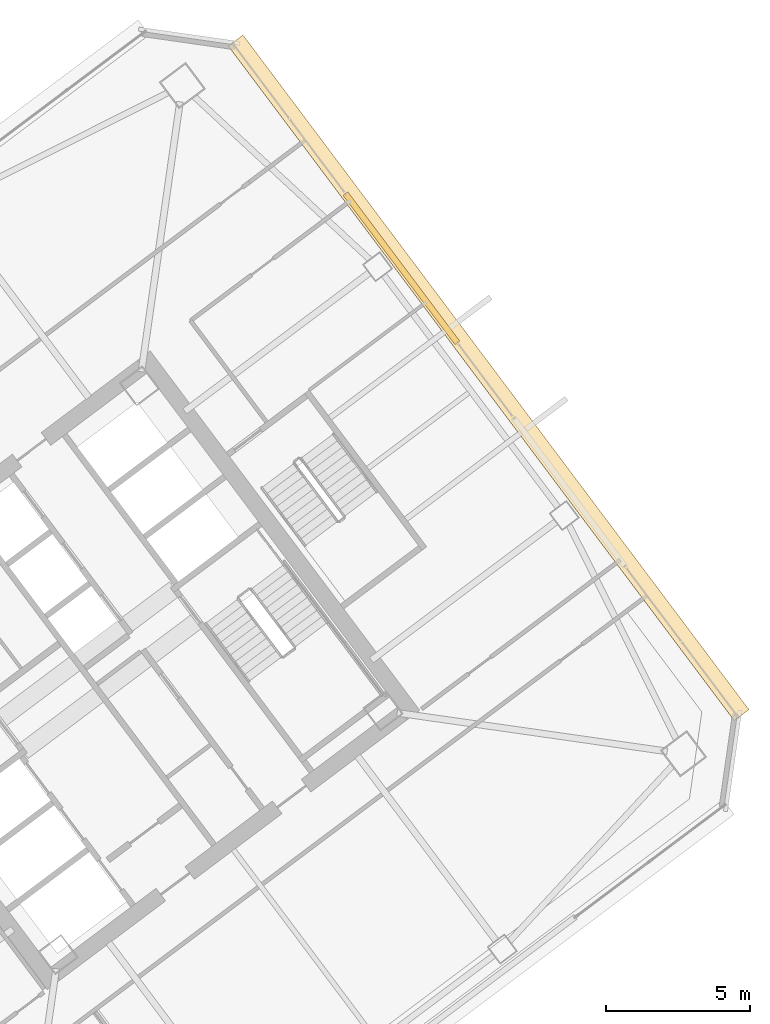
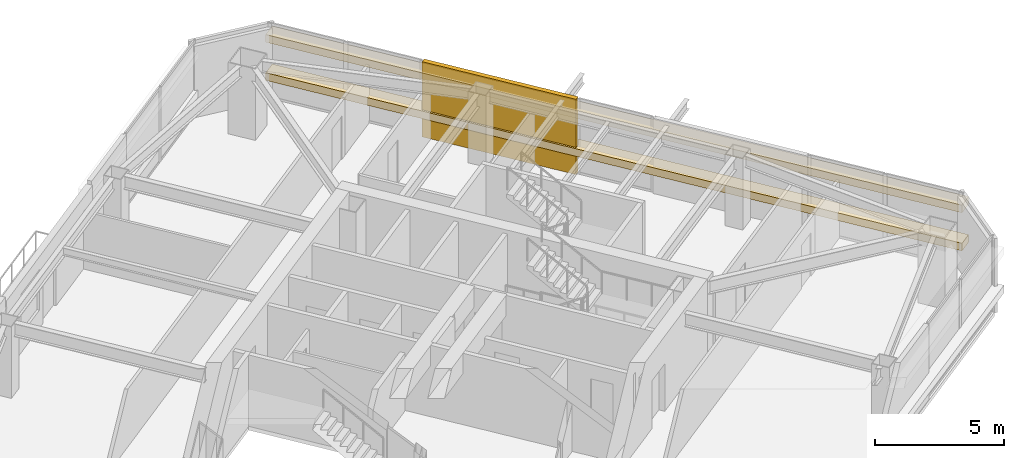
# One storey, part 44 of 44: 3 coverings.
"""IFC4 building model written with IfcOpenShell, lengths in metres."""

from ifc_helpers import new_model, si_unit, direction, frame, origin, origin_2d, place, context, subcontext, project, spatial, rectangle, extrude, material, layer, layer_set, type_object, element, save


model = new_model("IFC4")

# Units and contexts
model_context = context("Model", 3, precision=1e-05, world=origin(), true_north=direction((0.0, 1.0)))
body_context = subcontext(model_context, "Body", "Model", "MODEL_VIEW")
ifc_project = project(units=[si_unit("LENGTHUNIT", "METRE"), si_unit("AREAUNIT", "SQUARE_METRE"), si_unit("VOLUMEUNIT", "CUBIC_METRE"), si_unit("PLANEANGLEUNIT", "RADIAN"), si_unit("MASSUNIT", "GRAM", prefix="KILO")], contexts=[model_context])

# Site, building, storey
site_placement = place(None, origin())
site = spatial("IfcSite", under=ifc_project, at=site_placement, CompositionType="ELEMENT")
building_placement = place(site_placement, origin())
building = spatial("IfcBuilding", under=site, at=building_placement, Name="Tashvorn Skyway Center", CompositionType="ELEMENT")
storey_placement = place(building_placement, frame((0.0, 0.0, 181.85009765625)))
storey = spatial("IfcBuildingStorey", under=building, at=storey_placement, Name="L49", CompositionType="ELEMENT", Elevation=181.85009765625)

# Coverings
ifc_material_1 = material(Name="Precast concrete C40/50", Category="concrete")
ifc_layer_1 = layer(ifc_material_1, 0.199951171875)
ifc_layer_set_1 = layer_set([ifc_layer_1], Name="Precast concrete C40/50")
covering_type_1 = type_object("IfcCoveringType", Name="COV-BRACE-CLAD", PredefinedType="CLADDING", material=ifc_layer_set_1)
covering_placement = place(storey_placement, frame((124.508056640625, 45.9560546875, 0.0), z_axis=(0.0, 0.0, 1.0), x_axis=(0.600000004945, -0.799999996291, 0.0)))
element("IfcCovering", 1, at=covering_placement, inside=storey, type_object=covering_type_1, Name="Tower 2 L49 East Unitised Curtain Wall Mega-Brace Cladding Band 1", PredefinedType="CLADDING", context=body_context, shape_type="SweptSolid", body=[
    extrude(rectangle(XDim=6.47998046875, YDim=0.199951171875, at=origin_2d()), origin(), (0.0, 0.0, 1.0), 3.550048828125),
])
ifc_material_2 = material(Name="Perforated ceramic-coated bronze aluminium solar screen", Category="aluminium")
ifc_layer_2 = layer(ifc_material_2, 0.85009765625)
ifc_layer_set_2 = layer_set([ifc_layer_2], Name="Perforated ceramic-coated bronze aluminium solar screen")
covering_type_2 = type_object("IfcCoveringType", Name="COV-SOLAR-BAND", PredefinedType="CLADDING", material=ifc_layer_set_2)
for number, where, z_axis, x_axis, name in (
    (2, (127.535888671875, 42.152099609375, 0.919921875), (0.0, 0.0, 1.0), (0.600000004945, -0.799999996291, 0.0), "L49 Perforated Ceramic-Metal Solar Screen Louvre Band East 1"),
    (3, (127.535888671875, 42.152099609375, 2.7197265625), (0.0, 0.0, 1.0), (0.600000004945, -0.799999996291, 0.0), "L49 Perforated Ceramic-Metal Solar Screen Louvre Band East 2"),
):
    element("IfcCovering", number, at=place(storey_placement, frame(where, z_axis=z_axis, x_axis=x_axis)), inside=storey, type_object=covering_type_2, Name=name, PredefinedType="CLADDING", context=body_context, shape_type="SweptSolid", body=[
        extrude(rectangle(XDim=29.280029296875, YDim=0.639892578125, at=origin_2d()), origin(), (0.0, 0.0, 1.0), 0.360107421875),
    ])

save(model, "model.ifc")
